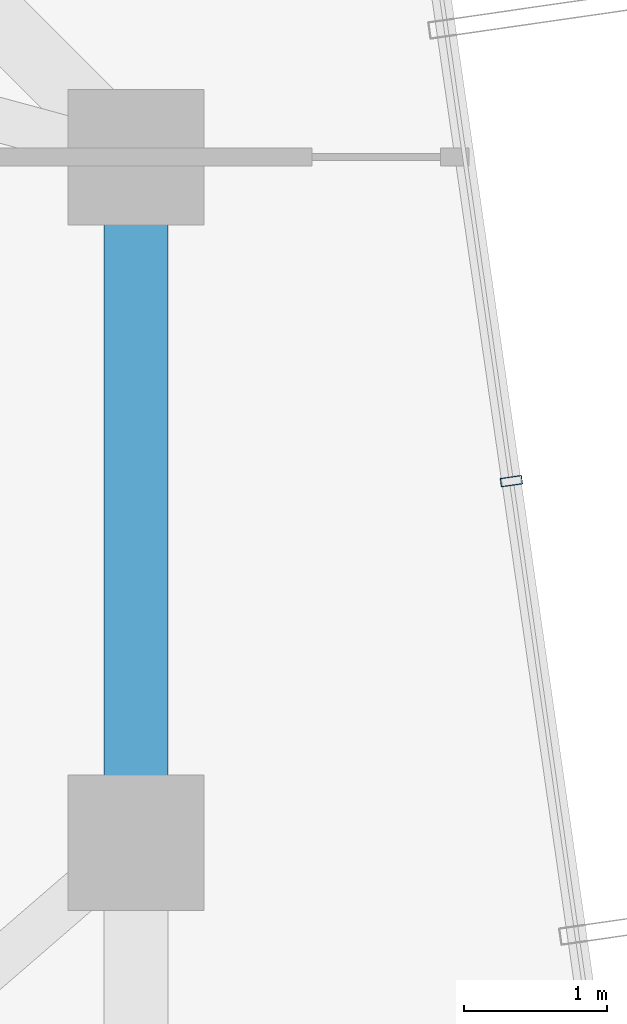
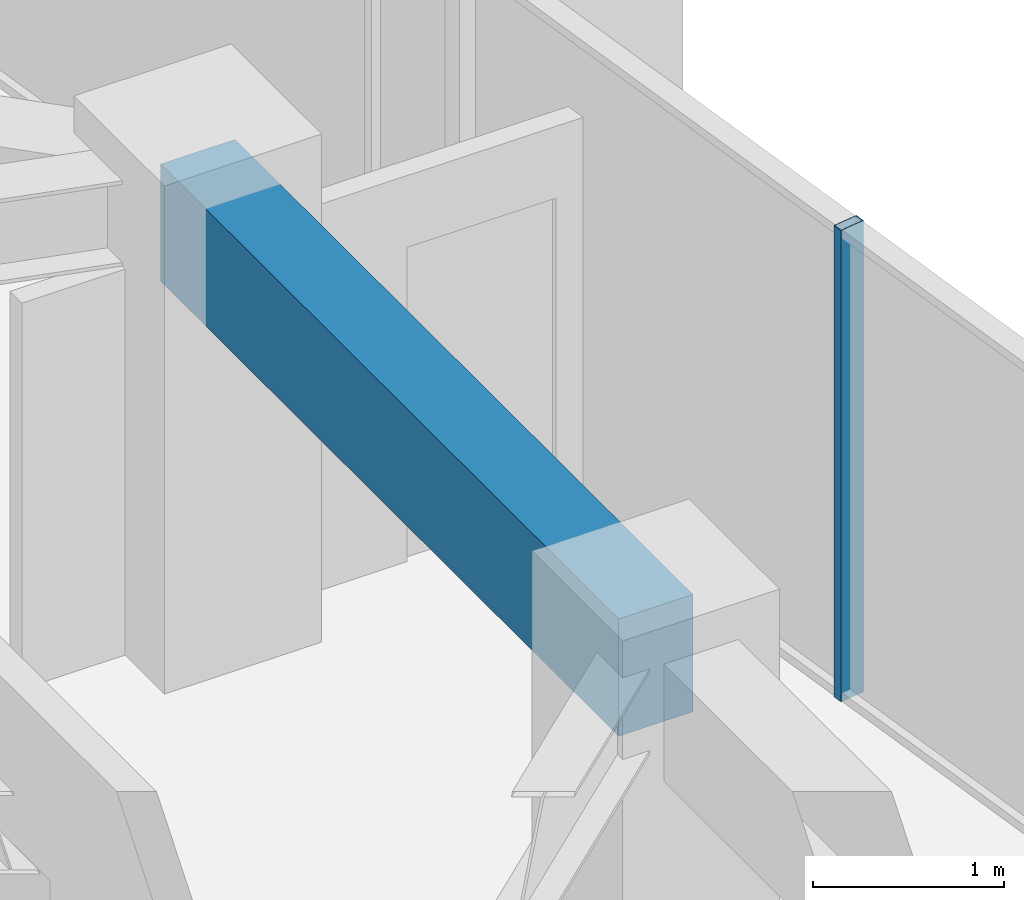
# One storey, part 17 of 31: 1 beam, 1 member, 1 element without a shape of its own.
"""IFC4 building model written with IfcOpenShell, lengths in metres."""

from ifc_helpers import new_model, si_unit, direction, frame, origin, origin_2d, place, context, subcontext, project, spatial, rectangle, hollow_rectangle, extrude, source, transform, mapped, material, layer, layer_set, material_profile, profile_set, type_object, element, aggregate, save


model = new_model("IFC4")

# Units and contexts
model_context = context("Model", 3, precision=1e-05, world=origin(), true_north=direction((0.0, 1.0)))
body_context = subcontext(model_context, "Body", "Model", "MODEL_VIEW")
ifc_project = project(units=[si_unit("LENGTHUNIT", "METRE"), si_unit("AREAUNIT", "SQUARE_METRE"), si_unit("VOLUMEUNIT", "CUBIC_METRE"), si_unit("PLANEANGLEUNIT", "RADIAN"), si_unit("MASSUNIT", "GRAM", prefix="KILO")], contexts=[model_context])

# Site, building, storey
site_placement = place(None, origin())
site = spatial("IfcSite", under=ifc_project, at=site_placement, CompositionType="ELEMENT")
building_placement = place(site_placement, origin())
building = spatial("IfcBuilding", under=site, at=building_placement, Name="Veraguas Prism Commons", CompositionType="ELEMENT")
storey_placement = place(building_placement, frame((0.0, 0.0, 178.85009765625)))
storey = spatial("IfcBuildingStorey", under=building, at=storey_placement, Name="L50", CompositionType="ELEMENT", Elevation=178.85009765625)

# Beam
ifc_material_1 = material(Name="Concrete C50/60", Category="concrete")
ifc_material_profile_1 = material_profile(ifc_material_1, rectangle(XDim=0.449951171875, YDim=0.75, at=origin_2d()), Name="RC450X750")
ifc_profile_set_1 = profile_set([ifc_material_profile_1], Name="Concrete C50/60")
beam_type = type_object("IfcBeamType", Name="Perimeter Spandrel Upper RC 450x750", PredefinedType="SPANDREL", material=ifc_profile_set_1)
beam_placement = place(storey_placement, frame((38.89990234375, 24.0, 2.639892578125), z_axis=(0.0, 1.0, 0.0), x_axis=(-1.0, 0.0, 0.0)))
element("IfcBeam", 1, at=beam_placement, inside=storey, type_object=beam_type, Name="Perimeter Spandrel Beam L50-SP02", PredefinedType="SPANDREL", context=body_context, shape_type="SweptSolid", body=[
    extrude(rectangle(XDim=0.449951171875, YDim=0.75, at=origin_2d()), origin(), (0.0, 0.0, 1.0), 4.800048828125),
])

# Curtain wall, member
ifc_material_2 = material(Name="Anodised aluminium EN AW-6063 T6", Category="aluminium")
ifc_layer = layer(ifc_material_2, 0.14990234375, Name="Unitised Flush Curtain Wall Zone 3", Category="aluminium")
ifc_layer_set = layer_set([ifc_layer], Name="Anodised aluminium EN AW-6063 T6")
curtain_wall_type = type_object("IfcCurtainWallType", Name="Unitised Flush Curtain Wall Zone 3", PredefinedType="NOTDEFINED", material=ifc_layer_set)
curtain_wall_placement = place(storey_placement, origin())
curtain_wall = element("IfcCurtainWall", 2, at=curtain_wall_placement, inside=storey, type_object=curtain_wall_type, Name="Tower Facade Curtain Wall L50-F6", PredefinedType="NOTDEFINED")
ifc_material_profile_2 = material_profile(ifc_material_2, hollow_rectangle(XDim=0.06005859375, YDim=0.14990234375, WallThickness=0.0029296875, at=origin_2d()), Name="AL60X150X3")
ifc_profile_set_2 = profile_set([ifc_material_profile_2], Name="Anodised aluminium EN AW-6063 T6")
member_type = type_object("IfcMemberType", Name="Curtain Wall Mullion Upper AL 60x150x3", PredefinedType="MULLION", material=ifc_profile_set_2)
shared_shape = source(origin(), body_context, "Body", "SweptSolid", [
    extrude(hollow_rectangle(XDim=0.06005859375, YDim=0.14990234375, WallThickness=0.0029296875, at=origin_2d()), origin(), (0.0, 0.0, 1.0), 3.014892578125),
])
member_placement = place(storey_placement, frame((41.5283203125, 26.531982421875, 0.0), z_axis=(0.0, 0.0, 1.0), x_axis=(-0.142972694692, 0.989726633254, 0.0)))
member = element("IfcMember", 3, at=member_placement, type_object=member_type, Name="CW-Z3 Mullion 3", PredefinedType="MULLION", context=body_context, shape_type="MappedRepresentation", body=[
    mapped(shared_shape, transform((0.0, 0.0, 0.0), scale=1.0)),
])
aggregate(curtain_wall, [member])

save(model, "model.ifc")
